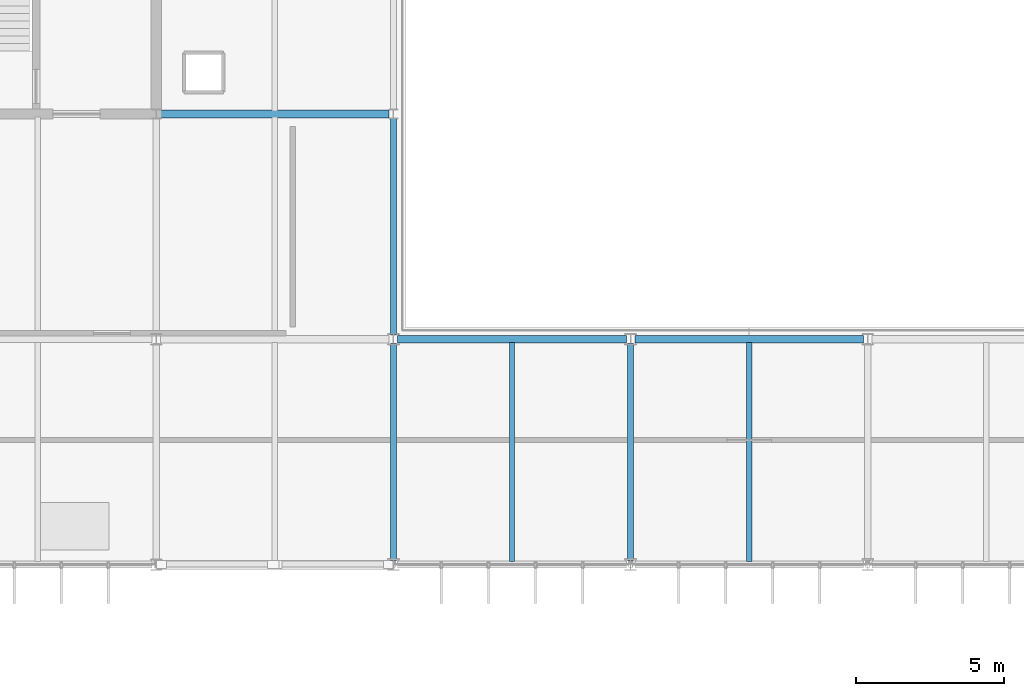
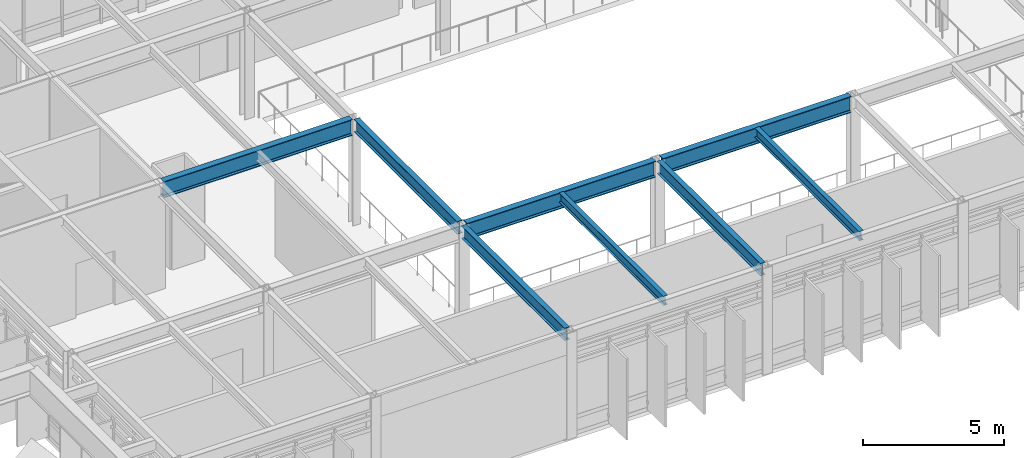
# One storey, part 40 of 104: 8 beams.
"""IFC4 building model written with IfcOpenShell, lengths in metres."""

from ifc_helpers import new_model, si_unit, direction, frame, origin, origin_2d, place, context, subcontext, project, spatial, i_section, extrude, material, material_profile, profile_set, type_object, element, save


model = new_model("IFC4")

# Units and contexts
model_context = context("Model", 3, precision=1e-05, world=origin(), true_north=direction((0.0, 1.0)))
body_context = subcontext(model_context, "Body", "Model", "MODEL_VIEW")
ifc_project = project(units=[si_unit("LENGTHUNIT", "METRE"), si_unit("AREAUNIT", "SQUARE_METRE"), si_unit("VOLUMEUNIT", "CUBIC_METRE"), si_unit("PLANEANGLEUNIT", "RADIAN"), si_unit("MASSUNIT", "GRAM", prefix="KILO")], contexts=[model_context])

# Site, building, storey
site_placement = place(None, origin())
site = spatial("IfcSite", under=ifc_project, at=site_placement, CompositionType="ELEMENT")
building_placement = place(site_placement, origin())
building = spatial("IfcBuilding", under=site, at=building_placement, Name="Zulena Civic Courthouse", CompositionType="ELEMENT")
storey_placement = place(building_placement, frame((0.0, 0.0, 10.800048828125)))
storey = spatial("IfcBuildingStorey", under=building, at=storey_placement, Name="L02", CompositionType="ELEMENT", Elevation=10.800048828125)

# Beams
ifc_material = material(Name="Steel ASTM A992 Grade 50", Category="steel")
ifc_material_profile_1 = material_profile(ifc_material, i_section(OverallWidth=0.214111328125, OverallDepth=0.549072265625, WebThickness=0.0146484375, FlangeThickness=0.023681640625, FilletRadius=0.0126953125, at=origin_2d()), Name="W21X93")
ifc_profile_set_1 = profile_set([ifc_material_profile_1], Name="Steel ASTM A992 Grade 50")
beam_type_1 = type_object("IfcBeamType", Name="Girder_W21X93", PredefinedType="BEAM", material=ifc_profile_set_1)
beam_placement = place(storey_placement, frame((84.0, 22.945068359375, 4.3154296875), z_axis=(0.0, 1.0, 0.0), x_axis=(-1.0, 0.0, 0.0)))
element("IfcBeam", 1, at=beam_placement, inside=storey, type_object=beam_type_1, Name="beam:Y:V4:L02:84.0:22.8_30.4", PredefinedType="BEAM", context=body_context, shape_type="SweptSolid", body=[
    extrude(i_section(OverallWidth=0.214111328125, OverallDepth=0.549072265625, WebThickness=0.0146484375, FlangeThickness=0.023681640625, FilletRadius=0.0126953125, at=origin_2d()), origin(), (0.0, 0.0, 1.0), 7.309814453125),
])
ifc_material_profile_2 = material_profile(ifc_material, i_section(OverallWidth=0.25390625, OverallDepth=0.701904296875, WebThickness=0.015380859375, FlangeThickness=0.02783203125, FilletRadius=0.0166015625, at=origin_2d()), Name="W27X129")
ifc_profile_set_2 = profile_set([ifc_material_profile_2], Name="Steel ASTM A992 Grade 50")
beam_type_2 = type_object("IfcBeamType", Name="Girder_W27X129", PredefinedType="BEAM", material=ifc_profile_set_2)
for number, where, z_axis, x_axis, name in (
    (2, (84.14501953125, 22.800048828125, 4.239013671875), (1.0, 0.0, 0.0), (0.0, 1.0, 0.0), "beam:X:V4:L02:22.8:84.0_92.0"),
    (3, (92.14501953125, 22.800048828125, 4.239013671875), (1.0, 0.0, 0.0), (0.0, 1.0, 0.0), "beam:X:V4:L02:22.8:92.0_100.0"),
    (4, (76.14501953125, 30.39990234375, 4.239013671875), (1.0, 0.0, 0.0), (0.0, 1.0, 0.0), "beam:X:V4:L02:30.4:76.0_84.0"),
):
    element("IfcBeam", number, at=place(storey_placement, frame(where, z_axis=z_axis, x_axis=x_axis)), inside=storey, type_object=beam_type_2, Name=name, PredefinedType="BEAM", context=body_context, shape_type="SweptSolid", body=[
        extrude(i_section(OverallWidth=0.25390625, OverallDepth=0.701904296875, WebThickness=0.015380859375, FlangeThickness=0.02783203125, FilletRadius=0.0166015625, at=origin_2d()), origin(), (0.0, 0.0, 1.0), 7.7099609375),
    ])
ifc_material_profile_3 = material_profile(ifc_material, i_section(OverallWidth=0.177978515625, OverallDepth=0.406005859375, WebThickness=0.0078125, FlangeThickness=0.0126953125, FilletRadius=0.01025390625, at=origin_2d()), Name="W16X40")
ifc_profile_set_3 = profile_set([ifc_material_profile_3], Name="Steel ASTM A992 Grade 50")
beam_type_3 = type_object("IfcBeamType", Name="Joist_W16X40", PredefinedType="JOIST", material=ifc_profile_set_3)
for number, where, z_axis, x_axis, name in (
    (5, (88.0, 15.304931640625, 4.386962890625), (0.0, 1.0, 0.0), (-1.0, 0.0, 0.0), "joist:V4:L02:88.00:15.2_22.8"),
    (6, (96.0, 15.304931640625, 4.386962890625), (0.0, 1.0, 0.0), (-1.0, 0.0, 0.0), "joist:V4:L02:96.00:15.2_22.8"),
):
    element("IfcBeam", number, at=place(storey_placement, frame(where, z_axis=z_axis, x_axis=x_axis)), inside=storey, type_object=beam_type_3, Name=name, PredefinedType="JOIST", context=body_context, shape_type="SweptSolid", body=[
        extrude(i_section(OverallWidth=0.177978515625, OverallDepth=0.406005859375, WebThickness=0.0078125, FlangeThickness=0.0126953125, FilletRadius=0.01025390625, at=origin_2d()), origin(), (0.0, 0.0, 1.0), 7.39013671875),
    ])
ifc_material_profile_4 = material_profile(ifc_material, i_section(OverallWidth=0.2099609375, OverallDepth=0.537109375, WebThickness=0.010986328125, FlangeThickness=0.017333984375, FilletRadius=0.0126953125, at=origin_2d()), Name="W21X68")
ifc_profile_set_4 = profile_set([ifc_material_profile_4], Name="Steel ASTM A992 Grade 50")
beam_type_4 = type_object("IfcBeamType", Name="Spandrel_W21X68", PredefinedType="SPANDREL", material=ifc_profile_set_4)
for number, where, z_axis, x_axis, name in (
    (7, (84.0, 15.344970703125, 4.321533203125), (0.0, 1.0, 0.0), (-1.0, 0.0, 0.0), "beam:Y:V4:L02:84.0:15.2_22.8"),
    (8, (92.0, 15.344970703125, 4.321533203125), (0.0, 1.0, 0.0), (-1.0, 0.0, 0.0), "beam:Y:V4:L02:92.0:15.2_22.8"),
):
    element("IfcBeam", number, at=place(storey_placement, frame(where, z_axis=z_axis, x_axis=x_axis)), inside=storey, type_object=beam_type_4, Name=name, PredefinedType="SPANDREL", context=body_context, shape_type="SweptSolid", body=[
        extrude(i_section(OverallWidth=0.2099609375, OverallDepth=0.537109375, WebThickness=0.010986328125, FlangeThickness=0.017333984375, FilletRadius=0.0126953125, at=origin_2d()), origin(), (0.0, 0.0, 1.0), 7.31005859375),
    ])

save(model, "model.ifc")
